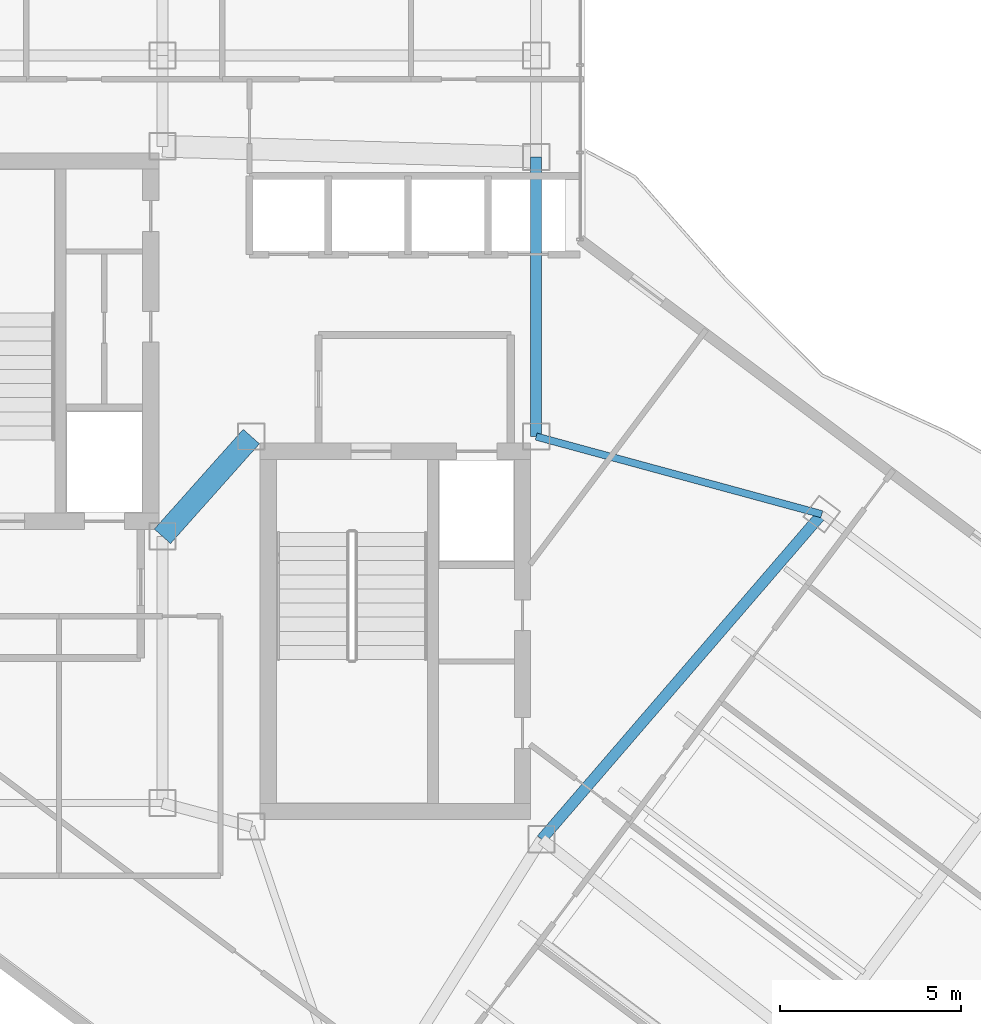
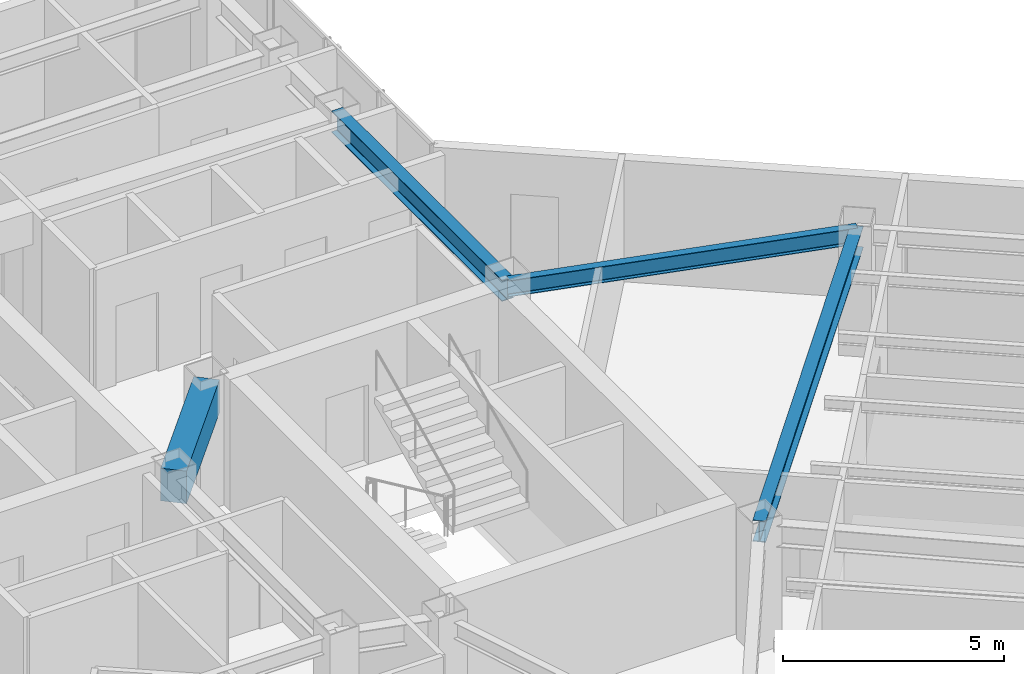
# One storey, part 9 of 26: 4 beams.
"""IFC4 building model written with IfcOpenShell, lengths in metres."""

import ifcopenshell
import ifcopenshell.guid

model = None  # the IFC model being written
_history = None  # IfcOwnerHistory: only IFC2X3 demands one
_inside = {}  # id of a spatial element -> (the spatial element, [elements in it])
_under = {}  # id of a project, library or spatial element -> (it, [spatial elements below it])
_declared = {}  # id of a project -> (the project, [libraries it declares])
_typed = {}  # id of a type object -> (the type object, [elements of that type])
_made_of = {}  # id of a material, layer set ... -> (it, [elements and type objects made of it])


def new_model(schema):
    """Start an empty IFC model of exactly this schema.

    Asked for "IFC4X3", IfcOpenShell would pick the latest addendum, in which some entities
    have other attributes; the version numbers below select the first issue.
    IFC2X3 requires an IfcOwnerHistory on every rooted entity: one is made here for all.
    """
    global model, _history
    if schema == "IFC4X3":
        model = ifcopenshell.file(schema_version=(4, 3, 0, 0))
    else:
        model = ifcopenshell.file(schema=schema)
    _inside.clear()
    _under.clear()
    _declared.clear()
    _typed.clear()
    _made_of.clear()
    _history = None
    if model.schema == "IFC2X3":
        org = make("IfcOrganization", Name="unknown")
        user = make(
            "IfcPersonAndOrganization",
            ThePerson=make("IfcPerson", FamilyName="unknown"),
            TheOrganization=org,
        )
        app = make(
            "IfcApplication",
            ApplicationDeveloper=org,
            Version="unknown",
            ApplicationFullName="unknown",
            ApplicationIdentifier="unknown",
        )
        _history = make(
            "IfcOwnerHistory",
            OwningUser=user,
            OwningApplication=app,
            ChangeAction="ADDED",
            CreationDate=0,
        )
    return model


def make(cls, **values):
    """One entity of the class cls with the attributes given. An attribute that is None is left unset."""
    return model.create_entity(
        cls, **{name: value for name, value in values.items() if value is not None}
    )


def rooted(cls, **values):
    """An entity with a GlobalId (a new one), such as an element, a storey or a relation."""
    return make(cls, GlobalId=ifcopenshell.guid.new(), OwnerHistory=_history, **values)


def si_unit(unit_type, name, prefix=None):
    """IfcSIUnit, for example si_unit("LENGTHUNIT", "METRE", prefix="MILLI")."""
    return make("IfcSIUnit", UnitType=unit_type, Prefix=prefix, Name=name)


def assignment(units):
    """IfcUnitAssignment: the units of a project."""
    return None if units is None else make("IfcUnitAssignment", Units=units)


def point(xyz):
    """IfcCartesianPoint."""
    return None if xyz is None else make("IfcCartesianPoint", Coordinates=xyz)


def direction(xyz):
    """IfcDirection."""
    return None if xyz is None else make("IfcDirection", DirectionRatios=xyz)


def frame(location, z_axis=None, x_axis=None):
    """IfcAxis2Placement3D, a coordinate frame: its origin and axes. An axis left out is left unset."""
    return make(
        "IfcAxis2Placement3D",
        Location=point(location),
        Axis=direction(z_axis),
        RefDirection=direction(x_axis),
    )


def frame_2d(location, x_axis=None):
    """IfcAxis2Placement2D, a coordinate frame in the plane: its origin and x axis."""
    return make(
        "IfcAxis2Placement2D", Location=point(location), RefDirection=direction(x_axis)
    )


def origin():
    """The frame at (0, 0, 0) with its axes left unset."""
    return frame((0.0, 0.0, 0.0))


def origin_2d():
    """The frame at (0, 0) in the plane with its x axis left unset."""
    return frame_2d((0.0, 0.0))


def place(relative_to, where):
    """IfcLocalPlacement: puts the frame where relative to a parent placement (None: the world)."""
    return make(
        "IfcLocalPlacement", PlacementRelTo=relative_to, RelativePlacement=where
    )


def context(
    kind, dimensions, precision=None, world=None, true_north=None, identifier=None
):
    """IfcGeometricRepresentationContext, for example the 3D "Model" context."""
    return make(
        "IfcGeometricRepresentationContext",
        ContextIdentifier=identifier,
        ContextType=kind,
        CoordinateSpaceDimension=dimensions,
        Precision=precision,
        WorldCoordinateSystem=world,
        TrueNorth=true_north,
    )


def subcontext(parent, identifier, kind, view, scale=None):
    """IfcGeometricRepresentationSubContext, for example "Body" below "Model"."""
    return make(
        "IfcGeometricRepresentationSubContext",
        ContextIdentifier=identifier,
        ContextType=kind,
        ParentContext=parent,
        TargetScale=scale,
        TargetView=view,
    )


def project(units=None, contexts=None):
    """IfcProject with its units and contexts."""
    return rooted(
        "IfcProject",
        Name="project",
        RepresentationContexts=contexts,
        UnitsInContext=assignment(units),
    )


def spatial(cls, under=None, at=None, **own):
    """A site, building, storey or space (cls), placed at a placement, below another one or the project."""
    s = rooted(cls, ObjectPlacement=at, **own)
    if under is not None:
        _under.setdefault(under.id(), (under, []))[1].append(s)
    return s


def profile(cls, at=None, kind="AREA", **sizes):
    """A parametric profile (cls). Its sizes go by their IFC names, for example OverallWidth=200.0."""
    return make(cls, ProfileType=kind, Position=at, **sizes)


def rectangle(**sizes):
    """IfcRectangleProfileDef."""
    return profile("IfcRectangleProfileDef", **sizes)


def i_section(**sizes):
    """IfcIShapeProfileDef."""
    return profile("IfcIShapeProfileDef", **sizes)


def extrude(swept, where, along, depth):
    """IfcExtrudedAreaSolid: the profile swept, set in the frame where, extruded along a direction by depth."""
    return make(
        "IfcExtrudedAreaSolid",
        SweptArea=swept,
        Position=where,
        ExtrudedDirection=direction(along),
        Depth=depth,
    )


def shape(context_of_items, identifier, shape_type, items):
    """IfcShapeRepresentation: the items that make up one representation, for example the "Body"."""
    return make(
        "IfcShapeRepresentation",
        ContextOfItems=context_of_items,
        RepresentationIdentifier=identifier,
        RepresentationType=shape_type,
        Items=items,
    )


def material(Name=None, Category=None):
    """IfcMaterial."""
    return make("IfcMaterial", Name=Name, Category=Category)


def material_profile(
    of_material, cross_section, Name=None, Category=None, Priority=None
):
    """IfcMaterialProfile: a cross section and its material."""
    return make(
        "IfcMaterialProfile",
        Name=Name,
        Material=of_material,
        Profile=cross_section,
        Priority=Priority,
        Category=Category,
    )


def profile_set(profiles, Name=None, composite=None):
    """IfcMaterialProfileSet."""
    return make(
        "IfcMaterialProfileSet",
        Name=Name,
        MaterialProfiles=profiles,
        CompositeProfile=composite,
    )


def made_of(thing, what):
    """Note that an element or type object is made of a material, layer set ...; save() writes the relation."""
    if what is not None:
        _made_of.setdefault(what.id(), (what, []))[1].append(thing)
    return thing


def type_object(cls, material=None, **own):
    """A type object (cls), such as IfcWallType, which elements share."""
    return made_of(rooted(cls, **own), material)


def element(
    cls,
    number,
    at=None,
    inside=None,
    cuts=None,
    type_object=None,
    material=None,
    context=None,
    identifier="Body",
    shape_type=None,
    held_by="IfcProductDefinitionShape",
    body=None,
    shapes=None,
    **own,
):
    """One element of the class cls, such as IfcWall. Its Tag is "e" and its number.

    at: its placement. inside: the storey or other place that contains it. cuts: it is an
    opening in that element (IfcRelVoidsElement). A single representation is given by context,
    identifier, shape_type and body (its items); several are given by shapes. held_by: the class
    of the entity that holds the representations. save() writes the other relations.
    """
    e = rooted(cls, Tag="e%d" % number, ObjectPlacement=at, **own)
    if body is not None:
        shapes = [shape(context, identifier, shape_type, body)]
    if shapes is not None:
        e.Representation = make(held_by, Representations=shapes)
    if inside is not None:
        _inside.setdefault(inside.id(), (inside, []))[1].append(e)
    if cuts is not None:
        rooted(
            "IfcRelVoidsElement", RelatingBuildingElement=cuts, RelatedOpeningElement=e
        )
    if type_object is not None:
        _typed.setdefault(type_object.id(), (type_object, []))[1].append(e)
    return made_of(e, material)


def aggregate(whole, parts):
    """IfcRelAggregates: a whole, such as a stair, and the parts it consists of."""
    return rooted("IfcRelAggregates", RelatingObject=whole, RelatedObjects=parts)


def save(model, path):
    """Write the relations noted so far, then the file.

    IfcRelAggregates (storeys below a building ...), IfcRelContainedInSpatialStructure (elements
    in a storey), IfcRelDefinesByType, IfcRelAssociatesMaterial and IfcRelDeclares: one each for
    every whole, place, type object, material and project.
    """
    for whole, parts in _under.values():
        aggregate(whole, parts)
    for where, things in _inside.values():
        rooted(
            "IfcRelContainedInSpatialStructure",
            RelatedElements=things,
            RelatingStructure=where,
        )
    for kind, things in _typed.values():
        rooted("IfcRelDefinesByType", RelatedObjects=things, RelatingType=kind)
    for what, things in _made_of.values():
        rooted("IfcRelAssociatesMaterial", RelatedObjects=things, RelatingMaterial=what)
    for by, libraries in _declared.values():
        rooted("IfcRelDeclares", RelatingContext=by, RelatedDefinitions=libraries)
    model.write(path)


model = new_model("IFC4")

# Units and contexts
model_context = context("Model", 3, precision=1e-05, world=origin(), true_north=direction((0.0, 1.0)))
body_context = subcontext(model_context, "Body", "Model", "MODEL_VIEW")
ifc_project = project(units=[si_unit("LENGTHUNIT", "METRE"), si_unit("AREAUNIT", "SQUARE_METRE"), si_unit("VOLUMEUNIT", "CUBIC_METRE"), si_unit("PLANEANGLEUNIT", "RADIAN"), si_unit("MASSUNIT", "GRAM", prefix="KILO")], contexts=[model_context])

# Site, building, storey
site_placement = place(None, origin())
site = spatial("IfcSite", under=ifc_project, at=site_placement, CompositionType="ELEMENT")
building_placement = place(site_placement, origin())
building = spatial("IfcBuilding", under=site, at=building_placement, Name="Hatsunagi Terrace Concourse", CompositionType="ELEMENT")
storey_placement = place(building_placement, frame((0.0, 0.0, 209.550048828125)))
storey = spatial("IfcBuildingStorey", under=building, at=storey_placement, Name="L55", CompositionType="ELEMENT", Elevation=209.550048828125)

# Beams
ifc_material_1 = material(Name="Concrete Fc42", Category="concrete")
ifc_material_profile_1 = material_profile(ifc_material_1, rectangle(XDim=0.60009765625, YDim=0.89990234375, at=origin_2d()), Name="RC-600x900")
ifc_profile_set_1 = profile_set([ifc_material_profile_1], Name="Concrete Fc42")
beam_type_1 = type_object("IfcBeamType", Name="CoreCouplingBeam_RC_600x900", PredefinedType="BEAM", material=ifc_profile_set_1)
beam_1_placement = place(storey_placement, frame((33.35009765625, 32.550048828125, 2.89990234375), z_axis=(0.665198651008, 0.746666427997, 0.0), x_axis=(-0.746666427997, 0.665198651008, 0.0)))
element("IfcBeam", 1, at=beam_1_placement, inside=storey, type_object=beam_type_1, Name="Beam CB-03 CB-L55-1", PredefinedType="BEAM", context=body_context, shape_type="SweptSolid", body=[
    extrude(rectangle(XDim=0.60009765625, YDim=0.89990234375, at=origin_2d()), origin(), (0.0, 0.0, 1.0), 3.68310546875),
])
ifc_material_2 = material(Name="Steel SN490B", Category="steel")
ifc_material_profile_2 = material_profile(ifc_material_2, i_section(OverallWidth=0.300048828125, OverallDepth=0.587890625, WebThickness=0.011962890625, FlangeThickness=0.02001953125, FilletRadius=0.01806640625, at=origin_2d()), Name="H-588x300x12x20")
ifc_profile_set_2 = profile_set([ifc_material_profile_2], Name="Steel SN490B")
beam_type_2 = type_object("IfcBeamType", Name="OfficeHighGirder_H_588x300", PredefinedType="BEAM", material=ifc_profile_set_2)
beam_2_placement = place(storey_placement, frame((43.64990234375, 35.300048828125, 3.055908203125), z_axis=(0.0, 1.0, 0.0), x_axis=(-1.0, 0.0, 0.0)))
element("IfcBeam", 2, at=beam_2_placement, inside=storey, type_object=beam_type_2, Name="Beam G-06 BM-L55-CBK3", PredefinedType="BEAM", context=body_context, shape_type="SweptSolid", body=[
    extrude(i_section(OverallWidth=0.300048828125, OverallDepth=0.587890625, WebThickness=0.011962890625, FlangeThickness=0.02001953125, FilletRadius=0.01806640625, at=origin_2d()), origin(), (0.0, 0.0, 1.0), 7.699951171875),
])
beam_3_placement = place(storey_placement, frame((43.800048828125, 24.199951171875, 3.055908203125), z_axis=(0.652739101421, 0.757582777969, 0.0), x_axis=(-0.757582777969, 0.652739101421, 0.0)))
element("IfcBeam", 3, at=beam_3_placement, inside=storey, type_object=beam_type_2, Name="Beam G-06 BM-L55-SET-1B", PredefinedType="BEAM", context=body_context, shape_type="SweptSolid", body=[
    extrude(i_section(OverallWidth=0.300048828125, OverallDepth=0.587890625, WebThickness=0.011962890625, FlangeThickness=0.02001953125, FilletRadius=0.01806640625, at=origin_2d()), origin(), (0.0, 0.0, 1.0), 11.8271484375),
])
ifc_material_3 = material(Name="Steel SN490B", Category="steel")
ifc_material_profile_3 = material_profile(ifc_material_3, i_section(OverallWidth=0.199951171875, OverallDepth=0.449951171875, WebThickness=0.009033203125, FlangeThickness=0.013916015625, FilletRadius=0.01611328125, at=origin_2d()), Name="H-450x200x9x14")
ifc_profile_set_3 = profile_set([ifc_material_profile_3], Name="Steel SN490B")
beam_type_3 = type_object("IfcBeamType", Name="PerimeterSpandrel_H_450x200", PredefinedType="SPANDREL", material=ifc_profile_set_3)
beam_4_placement = place(storey_placement, frame((43.64990234375, 35.300048828125, 3.125), z_axis=(0.964958359286, -0.262403057994, 0.0), x_axis=(0.262403057994, 0.964958359286, 0.0)))
element("IfcBeam", 4, at=beam_4_placement, inside=storey, type_object=beam_type_3, Name="Beam SP-02 BM-L55-SE-NE0", PredefinedType="SPANDREL", context=body_context, shape_type="SweptSolid", body=[
    extrude(i_section(OverallWidth=0.199951171875, OverallDepth=0.449951171875, WebThickness=0.009033203125, FlangeThickness=0.013916015625, FilletRadius=0.01611328125, at=origin_2d()), origin(), (0.0, 0.0, 1.0), 8.156005859375),
])

save(model, "model.ifc")
